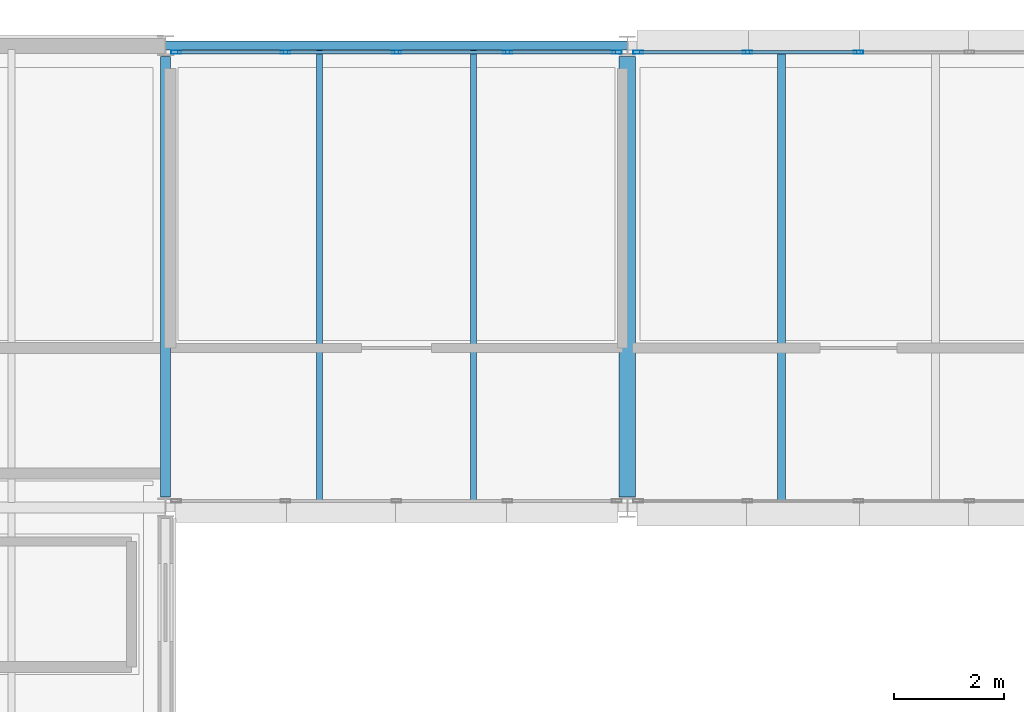
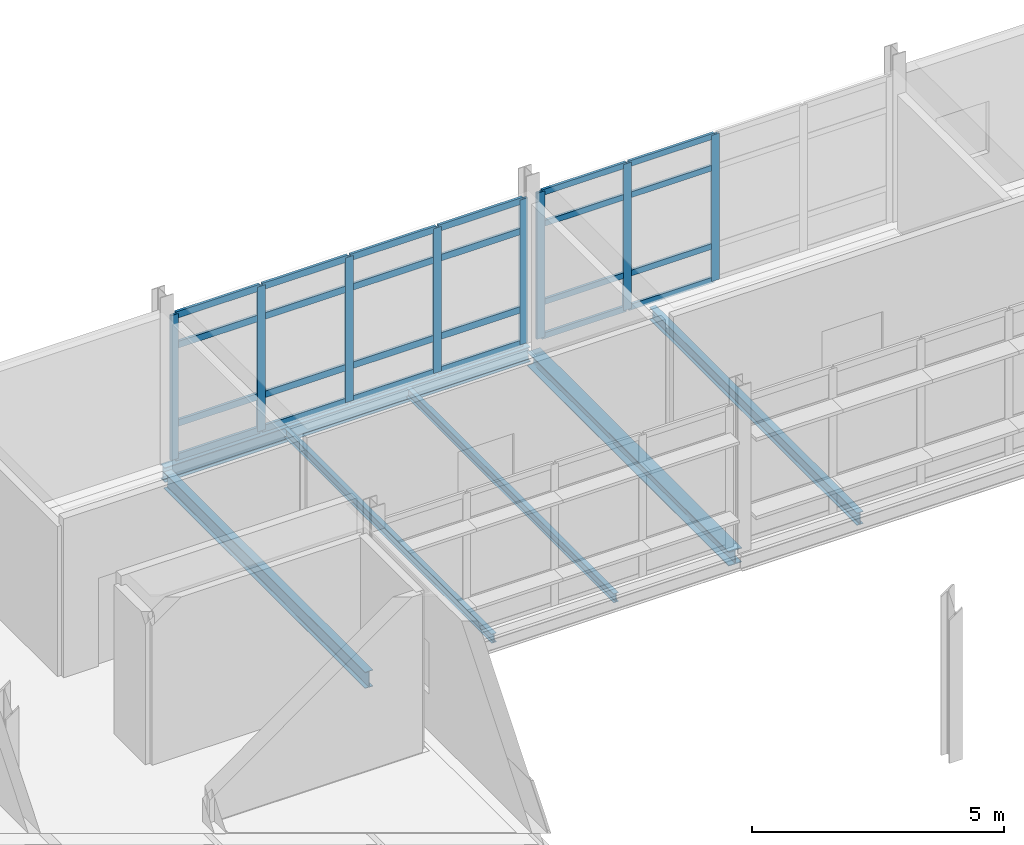
# One storey, part 11 of 66: 32 members, 6 beams, 2 elements without a shape of their own.
"""IFC4 building model written with IfcOpenShell, lengths in metres."""

from ifc_helpers import new_model, si_unit, direction, frame, origin, origin_2d, place, context, subcontext, project, spatial, hollow_rectangle, i_section, extrude, material, material_profile, profile_set, type_object, element, aggregate, save


model = new_model("IFC4")

# Units and contexts
model_context = context("Model", 3, precision=1e-05, world=origin(), true_north=direction((0.0, 1.0)))
body_context = subcontext(model_context, "Body", "Model", "MODEL_VIEW")
ifc_project = project(units=[si_unit("LENGTHUNIT", "METRE"), si_unit("AREAUNIT", "SQUARE_METRE"), si_unit("VOLUMEUNIT", "CUBIC_METRE"), si_unit("PLANEANGLEUNIT", "RADIAN"), si_unit("MASSUNIT", "GRAM", prefix="KILO")], contexts=[model_context])

# Site, building, storey
site_placement = place(None, origin())
site = spatial("IfcSite", under=ifc_project, at=site_placement, CompositionType="ELEMENT")
building_placement = place(site_placement, origin())
building = spatial("IfcBuilding", under=site, at=building_placement, Name="Mersafa Astral City Hall", CompositionType="ELEMENT")
storey_placement = place(building_placement, frame((0.0, 0.0, 22.050048828125)))
storey = spatial("IfcBuildingStorey", under=building, at=storey_placement, Name="L05", CompositionType="ELEMENT", Elevation=22.050048828125)

# Curtain wall, members
ifc_material_1 = material(Name="Anodised bronze aluminium framing", Category="aluminium")
curtain_wall_type_1 = type_object("IfcCurtainWallType", Name="ENV-CW-6", PredefinedType="USERDEFINED", material=ifc_material_1)
curtain_wall_1_placement = place(storey_placement, origin())
curtain_wall_1 = element("IfcCurtainWall", 1, at=curtain_wall_1_placement, inside=storey, type_object=curtain_wall_type_1, Name="L05 Unitised solar curtain wall 233", ObjectType="UNITISED CURTAIN WALL", PredefinedType="USERDEFINED")
ifc_material_profile_1 = material_profile(ifc_material_1, hollow_rectangle(XDim=0.06005859375, YDim=0.179931640625, WallThickness=0.00390625, at=origin_2d()), Name="RHS 60x180x4")
ifc_profile_set_1 = profile_set([ifc_material_profile_1], Name="Anodised bronze aluminium framing")
member_type_1 = type_object("IfcMemberType", Name="ENV-CW-MUL-1", PredefinedType="MULLION", material=ifc_profile_set_1)
member_1_placement = place(storey_placement, frame((71.39990234375, 125.8798828125, -0.001953125), z_axis=(0.0, 0.0, 1.0), x_axis=(0.0, -1.0, 0.0)))
member_1 = element("IfcMember", 2, at=member_1_placement, type_object=member_type_1, Name="CW-6 mullion 3", PredefinedType="MULLION", context=body_context, shape_type="SweptSolid", body=[
    extrude(hollow_rectangle(XDim=0.06005859375, YDim=0.179931640625, WallThickness=0.00390625, at=origin_2d()), origin(), (0.0, 0.0, 1.0), 3.5439453125),
])
member_2_placement = place(storey_placement, frame((69.381103515625, 125.8798828125, -0.001953125), z_axis=(0.0, 0.0, 1.0), x_axis=(0.0, -1.0, 0.0)))
member_2 = element("IfcMember", 3, at=member_2_placement, type_object=member_type_1, Name="CW-6 mullion 4", PredefinedType="MULLION", context=body_context, shape_type="SweptSolid", body=[
    extrude(hollow_rectangle(XDim=0.06005859375, YDim=0.179931640625, WallThickness=0.00390625, at=origin_2d()), origin(), (0.0, 0.0, 1.0), 3.5439453125),
])
member_3_placement = place(storey_placement, frame((67.39208984375, 125.8798828125, -0.001953125), z_axis=(0.0, 0.0, 1.0), x_axis=(0.0, -1.0, 0.0)))
member_3 = element("IfcMember", 4, at=member_3_placement, type_object=member_type_1, Name="CW-6 mullion 5", PredefinedType="MULLION", context=body_context, shape_type="SweptSolid", body=[
    extrude(hollow_rectangle(XDim=0.06005859375, YDim=0.179931640625, WallThickness=0.00390625, at=origin_2d()), origin(), (0.0, 0.0, 1.0), 3.5439453125),
])

curtain_wall_type_2 = type_object("IfcCurtainWallType", Name="ENV-CW-1", PredefinedType="USERDEFINED", material=ifc_material_1)
curtain_wall_2_placement = place(storey_placement, origin())
curtain_wall_2 = element("IfcCurtainWall", 5, at=curtain_wall_2_placement, inside=storey, type_object=curtain_wall_type_2, Name="L05 Unitised solar curtain wall 234", ObjectType="UNITISED CURTAIN WALL", PredefinedType="USERDEFINED")
member_4_placement = place(storey_placement, frame((67.008056640625, 125.8798828125, -0.001953125), z_axis=(0.0, 0.0, 1.0), x_axis=(0.0, -1.0, 0.0)))
member_4 = element("IfcMember", 6, at=member_4_placement, type_object=member_type_1, Name="CW-1 mullion 1", PredefinedType="MULLION", context=body_context, shape_type="SweptSolid", body=[
    extrude(hollow_rectangle(XDim=0.06005859375, YDim=0.179931640625, WallThickness=0.00390625, at=origin_2d()), origin(), (0.0, 0.0, 1.0), 3.513916015625),
])
member_5_placement = place(storey_placement, frame((65.01904296875, 125.8798828125, -0.001953125), z_axis=(0.0, 0.0, 1.0), x_axis=(0.0, -1.0, 0.0)))
member_5 = element("IfcMember", 7, at=member_5_placement, type_object=member_type_1, Name="CW-1 mullion 2", PredefinedType="MULLION", context=body_context, shape_type="SweptSolid", body=[
    extrude(hollow_rectangle(XDim=0.06005859375, YDim=0.179931640625, WallThickness=0.00390625, at=origin_2d()), origin(), (0.0, 0.0, 1.0), 3.513916015625),
])
member_6_placement = place(storey_placement, frame((63.0, 125.8798828125, -0.001953125), z_axis=(0.0, 0.0, 1.0), x_axis=(0.0, -1.0, 0.0)))
member_6 = element("IfcMember", 8, at=member_6_placement, type_object=member_type_1, Name="CW-1 mullion 3", PredefinedType="MULLION", context=body_context, shape_type="SweptSolid", body=[
    extrude(hollow_rectangle(XDim=0.06005859375, YDim=0.179931640625, WallThickness=0.00390625, at=origin_2d()), origin(), (0.0, 0.0, 1.0), 3.513916015625),
])
member_7_placement = place(storey_placement, frame((60.98095703125, 125.8798828125, -0.001953125), z_axis=(0.0, 0.0, 1.0), x_axis=(0.0, -1.0, 0.0)))
member_7 = element("IfcMember", 9, at=member_7_placement, type_object=member_type_1, Name="CW-1 mullion 4", PredefinedType="MULLION", context=body_context, shape_type="SweptSolid", body=[
    extrude(hollow_rectangle(XDim=0.06005859375, YDim=0.179931640625, WallThickness=0.00390625, at=origin_2d()), origin(), (0.0, 0.0, 1.0), 3.513916015625),
])
member_8_placement = place(storey_placement, frame((58.991943359375, 125.8798828125, -0.001953125), z_axis=(0.0, 0.0, 1.0), x_axis=(0.0, -1.0, 0.0)))
member_8 = element("IfcMember", 10, at=member_8_placement, type_object=member_type_1, Name="CW-1 mullion 5", PredefinedType="MULLION", context=body_context, shape_type="SweptSolid", body=[
    extrude(hollow_rectangle(XDim=0.06005859375, YDim=0.179931640625, WallThickness=0.00390625, at=origin_2d()), origin(), (0.0, 0.0, 1.0), 3.513916015625),
])

# Member
ifc_material_profile_2 = material_profile(ifc_material_1, hollow_rectangle(XDim=0.06005859375, YDim=0.139892578125, WallThickness=0.00390625, at=origin_2d()), Name="RHS 60x140x4")
ifc_profile_set_2 = profile_set([ifc_material_profile_2], Name="Anodised bronze aluminium framing")
member_type_2 = type_object("IfcMemberType", Name="ENV-CW-TRN-1", PredefinedType="USERDEFINED", material=ifc_profile_set_2)
member_9_placement = place(storey_placement, frame((71.3701171875, 125.8798828125, 0.02783203125), z_axis=(-1.0, 0.0, 0.0), x_axis=(0.0, -1.0, 0.0)))
member_9 = element("IfcMember", 11, at=member_9_placement, type_object=member_type_2, Name="CW-6 transom 3.1", ObjectType="TRANSOM", PredefinedType="USERDEFINED", context=body_context, shape_type="SweptSolid", body=[
    extrude(hollow_rectangle(XDim=0.06005859375, YDim=0.139892578125, WallThickness=0.00390625, at=origin_2d()), origin(), (0.0, 0.0, 1.0), 1.959228515625),
])

member_10_placement = place(storey_placement, frame((71.3701171875, 125.8798828125, 0.849853515625), z_axis=(-1.0, 0.0, 0.0), x_axis=(0.0, -1.0, 0.0)))
member_10 = element("IfcMember", 12, at=member_10_placement, type_object=member_type_2, Name="CW-6 transom 3.2", ObjectType="TRANSOM", PredefinedType="USERDEFINED", context=body_context, shape_type="SweptSolid", body=[
    extrude(hollow_rectangle(XDim=0.06005859375, YDim=0.139892578125, WallThickness=0.00390625, at=origin_2d()), origin(), (0.0, 0.0, 1.0), 1.959228515625),
])

member_11_placement = place(storey_placement, frame((71.3701171875, 125.8798828125, 2.75), z_axis=(-1.0, 0.0, 0.0), x_axis=(0.0, -1.0, 0.0)))
member_11 = element("IfcMember", 13, at=member_11_placement, type_object=member_type_2, Name="CW-6 transom 3.3", ObjectType="TRANSOM", PredefinedType="USERDEFINED", context=body_context, shape_type="SweptSolid", body=[
    extrude(hollow_rectangle(XDim=0.06005859375, YDim=0.139892578125, WallThickness=0.00390625, at=origin_2d()), origin(), (0.0, 0.0, 1.0), 1.959228515625),
])

member_12_placement = place(storey_placement, frame((71.3701171875, 125.8798828125, 3.511962890625), z_axis=(-1.0, 0.0, 0.0), x_axis=(0.0, -1.0, 0.0)))
member_12 = element("IfcMember", 14, at=member_12_placement, type_object=member_type_2, Name="CW-6 transom 3.4", ObjectType="TRANSOM", PredefinedType="USERDEFINED", context=body_context, shape_type="SweptSolid", body=[
    extrude(hollow_rectangle(XDim=0.06005859375, YDim=0.139892578125, WallThickness=0.00390625, at=origin_2d()), origin(), (0.0, 0.0, 1.0), 1.959228515625),
])

member_13_placement = place(storey_placement, frame((69.35107421875, 125.8798828125, 0.02783203125), z_axis=(-1.0, 0.0, 0.0), x_axis=(0.0, -1.0, 0.0)))
member_13 = element("IfcMember", 15, at=member_13_placement, type_object=member_type_2, Name="CW-6 transom 4.1", ObjectType="TRANSOM", PredefinedType="USERDEFINED", context=body_context, shape_type="SweptSolid", body=[
    extrude(hollow_rectangle(XDim=0.06005859375, YDim=0.139892578125, WallThickness=0.00390625, at=origin_2d()), origin(), (0.0, 0.0, 1.0), 1.928955078125),
])

member_14_placement = place(storey_placement, frame((69.35107421875, 125.8798828125, 0.849853515625), z_axis=(-1.0, 0.0, 0.0), x_axis=(0.0, -1.0, 0.0)))
member_14 = element("IfcMember", 16, at=member_14_placement, type_object=member_type_2, Name="CW-6 transom 4.2", ObjectType="TRANSOM", PredefinedType="USERDEFINED", context=body_context, shape_type="SweptSolid", body=[
    extrude(hollow_rectangle(XDim=0.06005859375, YDim=0.139892578125, WallThickness=0.00390625, at=origin_2d()), origin(), (0.0, 0.0, 1.0), 1.928955078125),
])

member_15_placement = place(storey_placement, frame((69.35107421875, 125.8798828125, 2.75), z_axis=(-1.0, 0.0, 0.0), x_axis=(0.0, -1.0, 0.0)))
member_15 = element("IfcMember", 17, at=member_15_placement, type_object=member_type_2, Name="CW-6 transom 4.3", ObjectType="TRANSOM", PredefinedType="USERDEFINED", context=body_context, shape_type="SweptSolid", body=[
    extrude(hollow_rectangle(XDim=0.06005859375, YDim=0.139892578125, WallThickness=0.00390625, at=origin_2d()), origin(), (0.0, 0.0, 1.0), 1.928955078125),
])

member_16_placement = place(storey_placement, frame((69.35107421875, 125.8798828125, 3.511962890625), z_axis=(-1.0, 0.0, 0.0), x_axis=(0.0, -1.0, 0.0)))
member_16 = element("IfcMember", 18, at=member_16_placement, type_object=member_type_2, Name="CW-6 transom 4.4", ObjectType="TRANSOM", PredefinedType="USERDEFINED", context=body_context, shape_type="SweptSolid", body=[
    extrude(hollow_rectangle(XDim=0.06005859375, YDim=0.139892578125, WallThickness=0.00390625, at=origin_2d()), origin(), (0.0, 0.0, 1.0), 1.928955078125),
])

aggregate(curtain_wall_1, [member_1, member_2, member_3, member_9, member_10, member_11, member_12, member_13, member_14, member_15, member_16])

ifc_material_profile_3 = material_profile(ifc_material_1, hollow_rectangle(XDim=0.06005859375, YDim=0.159912109375, WallThickness=0.00390625, at=origin_2d()), Name="RHS 60x160x4")
ifc_profile_set_3 = profile_set([ifc_material_profile_3], Name="Anodised bronze aluminium framing")
member_type_3 = type_object("IfcMemberType", Name="ENV-CW-TRN-2", PredefinedType="USERDEFINED", material=ifc_profile_set_3)
member_17_placement = place(storey_placement, frame((66.97802734375, 125.8798828125, 0.02783203125), z_axis=(-1.0, 0.0, 0.0), x_axis=(0.0, -1.0, 0.0)))
member_17 = element("IfcMember", 19, at=member_17_placement, type_object=member_type_3, Name="CW-1 transom 1.1", ObjectType="TRANSOM", PredefinedType="USERDEFINED", context=body_context, shape_type="SweptSolid", body=[
    extrude(hollow_rectangle(XDim=0.06005859375, YDim=0.159912109375, WallThickness=0.00390625, at=origin_2d()), origin(), (0.0, 0.0, 1.0), 1.928955078125),
])

member_18_placement = place(storey_placement, frame((66.97802734375, 125.8798828125, 0.849853515625), z_axis=(-1.0, 0.0, 0.0), x_axis=(0.0, -1.0, 0.0)))
member_18 = element("IfcMember", 20, at=member_18_placement, type_object=member_type_3, Name="CW-1 transom 1.2", ObjectType="TRANSOM", PredefinedType="USERDEFINED", context=body_context, shape_type="SweptSolid", body=[
    extrude(hollow_rectangle(XDim=0.06005859375, YDim=0.159912109375, WallThickness=0.00390625, at=origin_2d()), origin(), (0.0, 0.0, 1.0), 1.928955078125),
])

member_19_placement = place(storey_placement, frame((66.97802734375, 125.8798828125, 2.75), z_axis=(-1.0, 0.0, 0.0), x_axis=(0.0, -1.0, 0.0)))
member_19 = element("IfcMember", 21, at=member_19_placement, type_object=member_type_3, Name="CW-1 transom 1.3", ObjectType="TRANSOM", PredefinedType="USERDEFINED", context=body_context, shape_type="SweptSolid", body=[
    extrude(hollow_rectangle(XDim=0.06005859375, YDim=0.159912109375, WallThickness=0.00390625, at=origin_2d()), origin(), (0.0, 0.0, 1.0), 1.928955078125),
])

member_20_placement = place(storey_placement, frame((66.97802734375, 125.8798828125, 3.48193359375), z_axis=(-1.0, 0.0, 0.0), x_axis=(0.0, -1.0, 0.0)))
member_20 = element("IfcMember", 22, at=member_20_placement, type_object=member_type_3, Name="CW-1 transom 1.4", ObjectType="TRANSOM", PredefinedType="USERDEFINED", context=body_context, shape_type="SweptSolid", body=[
    extrude(hollow_rectangle(XDim=0.06005859375, YDim=0.159912109375, WallThickness=0.00390625, at=origin_2d()), origin(), (0.0, 0.0, 1.0), 1.928955078125),
])

member_21_placement = place(storey_placement, frame((64.989013671875, 125.8798828125, 0.02783203125), z_axis=(-1.0, 0.0, 0.0), x_axis=(0.0, -1.0, 0.0)))
member_21 = element("IfcMember", 23, at=member_21_placement, type_object=member_type_3, Name="CW-1 transom 2.1", ObjectType="TRANSOM", PredefinedType="USERDEFINED", context=body_context, shape_type="SweptSolid", body=[
    extrude(hollow_rectangle(XDim=0.06005859375, YDim=0.159912109375, WallThickness=0.00390625, at=origin_2d()), origin(), (0.0, 0.0, 1.0), 1.958984375),
])

member_22_placement = place(storey_placement, frame((64.989013671875, 125.8798828125, 0.849853515625), z_axis=(-1.0, 0.0, 0.0), x_axis=(0.0, -1.0, 0.0)))
member_22 = element("IfcMember", 24, at=member_22_placement, type_object=member_type_3, Name="CW-1 transom 2.2", ObjectType="TRANSOM", PredefinedType="USERDEFINED", context=body_context, shape_type="SweptSolid", body=[
    extrude(hollow_rectangle(XDim=0.06005859375, YDim=0.159912109375, WallThickness=0.00390625, at=origin_2d()), origin(), (0.0, 0.0, 1.0), 1.958984375),
])

member_23_placement = place(storey_placement, frame((64.989013671875, 125.8798828125, 2.75), z_axis=(-1.0, 0.0, 0.0), x_axis=(0.0, -1.0, 0.0)))
member_23 = element("IfcMember", 25, at=member_23_placement, type_object=member_type_3, Name="CW-1 transom 2.3", ObjectType="TRANSOM", PredefinedType="USERDEFINED", context=body_context, shape_type="SweptSolid", body=[
    extrude(hollow_rectangle(XDim=0.06005859375, YDim=0.159912109375, WallThickness=0.00390625, at=origin_2d()), origin(), (0.0, 0.0, 1.0), 1.958984375),
])

member_24_placement = place(storey_placement, frame((64.989013671875, 125.8798828125, 3.48193359375), z_axis=(-1.0, 0.0, 0.0), x_axis=(0.0, -1.0, 0.0)))
member_24 = element("IfcMember", 26, at=member_24_placement, type_object=member_type_3, Name="CW-1 transom 2.4", ObjectType="TRANSOM", PredefinedType="USERDEFINED", context=body_context, shape_type="SweptSolid", body=[
    extrude(hollow_rectangle(XDim=0.06005859375, YDim=0.159912109375, WallThickness=0.00390625, at=origin_2d()), origin(), (0.0, 0.0, 1.0), 1.958984375),
])

member_25_placement = place(storey_placement, frame((62.969970703125, 125.8798828125, 0.02783203125), z_axis=(-1.0, 0.0, 0.0), x_axis=(0.0, -1.0, 0.0)))
member_25 = element("IfcMember", 27, at=member_25_placement, type_object=member_type_3, Name="CW-1 transom 3.1", ObjectType="TRANSOM", PredefinedType="USERDEFINED", context=body_context, shape_type="SweptSolid", body=[
    extrude(hollow_rectangle(XDim=0.06005859375, YDim=0.159912109375, WallThickness=0.00390625, at=origin_2d()), origin(), (0.0, 0.0, 1.0), 1.958984375),
])

member_26_placement = place(storey_placement, frame((62.969970703125, 125.8798828125, 0.849853515625), z_axis=(-1.0, 0.0, 0.0), x_axis=(0.0, -1.0, 0.0)))
member_26 = element("IfcMember", 28, at=member_26_placement, type_object=member_type_3, Name="CW-1 transom 3.2", ObjectType="TRANSOM", PredefinedType="USERDEFINED", context=body_context, shape_type="SweptSolid", body=[
    extrude(hollow_rectangle(XDim=0.06005859375, YDim=0.159912109375, WallThickness=0.00390625, at=origin_2d()), origin(), (0.0, 0.0, 1.0), 1.958984375),
])

member_27_placement = place(storey_placement, frame((62.969970703125, 125.8798828125, 2.75), z_axis=(-1.0, 0.0, 0.0), x_axis=(0.0, -1.0, 0.0)))
member_27 = element("IfcMember", 29, at=member_27_placement, type_object=member_type_3, Name="CW-1 transom 3.3", ObjectType="TRANSOM", PredefinedType="USERDEFINED", context=body_context, shape_type="SweptSolid", body=[
    extrude(hollow_rectangle(XDim=0.06005859375, YDim=0.159912109375, WallThickness=0.00390625, at=origin_2d()), origin(), (0.0, 0.0, 1.0), 1.958984375),
])

member_28_placement = place(storey_placement, frame((62.969970703125, 125.8798828125, 3.48193359375), z_axis=(-1.0, 0.0, 0.0), x_axis=(0.0, -1.0, 0.0)))
member_28 = element("IfcMember", 30, at=member_28_placement, type_object=member_type_3, Name="CW-1 transom 3.4", ObjectType="TRANSOM", PredefinedType="USERDEFINED", context=body_context, shape_type="SweptSolid", body=[
    extrude(hollow_rectangle(XDim=0.06005859375, YDim=0.159912109375, WallThickness=0.00390625, at=origin_2d()), origin(), (0.0, 0.0, 1.0), 1.958984375),
])

member_29_placement = place(storey_placement, frame((60.950927734375, 125.8798828125, 0.02783203125), z_axis=(-1.0, 0.0, 0.0), x_axis=(0.0, -1.0, 0.0)))
member_29 = element("IfcMember", 31, at=member_29_placement, type_object=member_type_3, Name="CW-1 transom 4.1", ObjectType="TRANSOM", PredefinedType="USERDEFINED", context=body_context, shape_type="SweptSolid", body=[
    extrude(hollow_rectangle(XDim=0.06005859375, YDim=0.159912109375, WallThickness=0.00390625, at=origin_2d()), origin(), (0.0, 0.0, 1.0), 1.928955078125),
])

member_30_placement = place(storey_placement, frame((60.950927734375, 125.8798828125, 0.849853515625), z_axis=(-1.0, 0.0, 0.0), x_axis=(0.0, -1.0, 0.0)))
member_30 = element("IfcMember", 32, at=member_30_placement, type_object=member_type_3, Name="CW-1 transom 4.2", ObjectType="TRANSOM", PredefinedType="USERDEFINED", context=body_context, shape_type="SweptSolid", body=[
    extrude(hollow_rectangle(XDim=0.06005859375, YDim=0.159912109375, WallThickness=0.00390625, at=origin_2d()), origin(), (0.0, 0.0, 1.0), 1.928955078125),
])

member_31_placement = place(storey_placement, frame((60.950927734375, 125.8798828125, 2.75), z_axis=(-1.0, 0.0, 0.0), x_axis=(0.0, -1.0, 0.0)))
member_31 = element("IfcMember", 33, at=member_31_placement, type_object=member_type_3, Name="CW-1 transom 4.3", ObjectType="TRANSOM", PredefinedType="USERDEFINED", context=body_context, shape_type="SweptSolid", body=[
    extrude(hollow_rectangle(XDim=0.06005859375, YDim=0.159912109375, WallThickness=0.00390625, at=origin_2d()), origin(), (0.0, 0.0, 1.0), 1.928955078125),
])

member_32_placement = place(storey_placement, frame((60.950927734375, 125.8798828125, 3.48193359375), z_axis=(-1.0, 0.0, 0.0), x_axis=(0.0, -1.0, 0.0)))
member_32 = element("IfcMember", 34, at=member_32_placement, type_object=member_type_3, Name="CW-1 transom 4.4", ObjectType="TRANSOM", PredefinedType="USERDEFINED", context=body_context, shape_type="SweptSolid", body=[
    extrude(hollow_rectangle(XDim=0.06005859375, YDim=0.159912109375, WallThickness=0.00390625, at=origin_2d()), origin(), (0.0, 0.0, 1.0), 1.928955078125),
])

aggregate(curtain_wall_2, [member_4, member_5, member_6, member_7, member_8, member_17, member_18, member_19, member_20, member_21, member_22, member_23, member_24, member_25, member_26, member_27, member_28, member_29, member_30, member_31, member_32])

# Beams
ifc_material_2 = material(Name="Steel S355", Category="steel")
ifc_material_profile_4 = material_profile(ifc_material_2, i_section(OverallWidth=0.300048828125, OverallDepth=0.35009765625, WebThickness=0.010009765625, FlangeThickness=0.017578125, FilletRadius=0.027099609375, at=origin_2d()), Name="HEA 360")
ifc_profile_set_4 = profile_set([ifc_material_profile_4], Name="Steel S355")
beam_type_1 = type_object("IfcBeamType", Name="STR-BM-HEA360", PredefinedType="BEAM", material=ifc_profile_set_4)
beam_1_placement = place(storey_placement, frame((67.199951171875, 117.794921875, -0.35498046875), z_axis=(0.0, 1.0, 0.0), x_axis=(-1.0, 0.0, 0.0)))
element("IfcBeam", 35, at=beam_1_placement, inside=storey, type_object=beam_type_1, Name="L05 Primary girder Y 8-14", PredefinedType="BEAM", context=body_context, shape_type="SweptSolid", body=[
    extrude(i_section(OverallWidth=0.300048828125, OverallDepth=0.35009765625, WebThickness=0.010009765625, FlangeThickness=0.017578125, FilletRadius=0.027099609375, at=origin_2d()), origin(), (0.0, 0.0, 1.0), 8.010009765625),
])
ifc_material_profile_5 = material_profile(ifc_material_2, i_section(OverallWidth=0.179931640625, OverallDepth=0.39990234375, WebThickness=0.008544921875, FlangeThickness=0.013427734375, FilletRadius=0.02099609375, at=origin_2d()), Name="IPE 400")
ifc_profile_set_5 = profile_set([ifc_material_profile_5], Name="Steel S355")
beam_type_2 = type_object("IfcBeamType", Name="STR-BM-IPE400", PredefinedType="BEAM", material=ifc_profile_set_5)
beam_2_placement = place(storey_placement, frame((58.800048828125, 117.794921875, -0.380126953125), z_axis=(0.0, 1.0, 0.0), x_axis=(-1.0, 0.0, 0.0)))
element("IfcBeam", 36, at=beam_2_placement, inside=storey, type_object=beam_type_2, Name="L05 Primary girder Y 7-14", PredefinedType="BEAM", context=body_context, shape_type="SweptSolid", body=[
    extrude(i_section(OverallWidth=0.179931640625, OverallDepth=0.39990234375, WebThickness=0.008544921875, FlangeThickness=0.013427734375, FilletRadius=0.02099609375, at=origin_2d()), origin(), (0.0, 0.0, 1.0), 8.010009765625),
])
ifc_material_profile_6 = material_profile(ifc_material_2, i_section(OverallWidth=0.110107421875, OverallDepth=0.219970703125, WebThickness=0.005859375, FlangeThickness=0.00927734375, FilletRadius=0.011962890625, at=origin_2d()), Name="IPE 220")
ifc_profile_set_6 = profile_set([ifc_material_profile_6], Name="Steel S355")
beam_type_3 = type_object("IfcBeamType", Name="STR-BM-JOIST-IPE220", PredefinedType="JOIST", material=ifc_profile_set_6)
for number, where, z_axis, x_axis, name in (
    (37, (61.60009765625, 117.675048828125, -0.2900390625), (0.0, 1.0, 0.0), (-1.0, 0.0, 0.0), "L05 Composite secondary floor joist 789"),
    (38, (64.39990234375, 117.675048828125, -0.2900390625), (0.0, 1.0, 0.0), (-1.0, 0.0, 0.0), "L05 Composite secondary floor joist 790"),
):
    element("IfcBeam", number, at=place(storey_placement, frame(where, z_axis=z_axis, x_axis=x_axis)), inside=storey, type_object=beam_type_3, Name=name, PredefinedType="JOIST", context=body_context, shape_type="SweptSolid", body=[
        extrude(i_section(OverallWidth=0.110107421875, OverallDepth=0.219970703125, WebThickness=0.005859375, FlangeThickness=0.00927734375, FilletRadius=0.011962890625, at=origin_2d()), origin(), (0.0, 0.0, 1.0), 8.244873046875),
    ])
ifc_material_profile_7 = material_profile(ifc_material_2, i_section(OverallWidth=0.14990234375, OverallDepth=0.300048828125, WebThickness=0.007080078125, FlangeThickness=0.0107421875, FilletRadius=0.014892578125, at=origin_2d()), Name="IPE 300")
ifc_profile_set_7 = profile_set([ifc_material_profile_7], Name="Steel S355")
beam_type_4 = type_object("IfcBeamType", Name="STR-BM-JOIST-IPE300", PredefinedType="JOIST", material=ifc_profile_set_7)
beam_3_placement = place(storey_placement, frame((70.0, 117.679931640625, -0.330078125), z_axis=(0.0, 1.0, 0.0), x_axis=(-1.0, 0.0, 0.0)))
element("IfcBeam", 39, at=beam_3_placement, inside=storey, type_object=beam_type_4, Name="L05 Composite secondary floor joist 791", PredefinedType="JOIST", context=body_context, shape_type="SweptSolid", body=[
    extrude(i_section(OverallWidth=0.14990234375, OverallDepth=0.300048828125, WebThickness=0.007080078125, FlangeThickness=0.0107421875, FilletRadius=0.014892578125, at=origin_2d()), origin(), (0.0, 0.0, 1.0), 8.2451171875),
])
ifc_material_profile_8 = material_profile(ifc_material_2, i_section(OverallWidth=0.169921875, OverallDepth=0.360107421875, WebThickness=0.008056640625, FlangeThickness=0.0126953125, FilletRadius=0.01806640625, at=origin_2d()), Name="IPE 360")
ifc_profile_set_8 = profile_set([ifc_material_profile_8], Name="Steel S355")
beam_type_5 = type_object("IfcBeamType", Name="STR-BM-SPANDREL-IPE360", PredefinedType="SPANDREL", material=ifc_profile_set_8)
beam_4_placement = place(storey_placement, frame((58.802978515625, 126.0, -0.360107421875), z_axis=(1.0, 0.0, 0.0), x_axis=(0.0, 1.0, 0.0)))
element("IfcBeam", 40, at=beam_4_placement, inside=storey, type_object=beam_type_5, Name="L05 Primary girder X 7-15", PredefinedType="SPANDREL", context=body_context, shape_type="SweptSolid", body=[
    extrude(i_section(OverallWidth=0.169921875, OverallDepth=0.360107421875, WebThickness=0.008056640625, FlangeThickness=0.0126953125, FilletRadius=0.01806640625, at=origin_2d()), origin(), (0.0, 0.0, 1.0), 8.39404296875),
])

save(model, "model.ifc")
